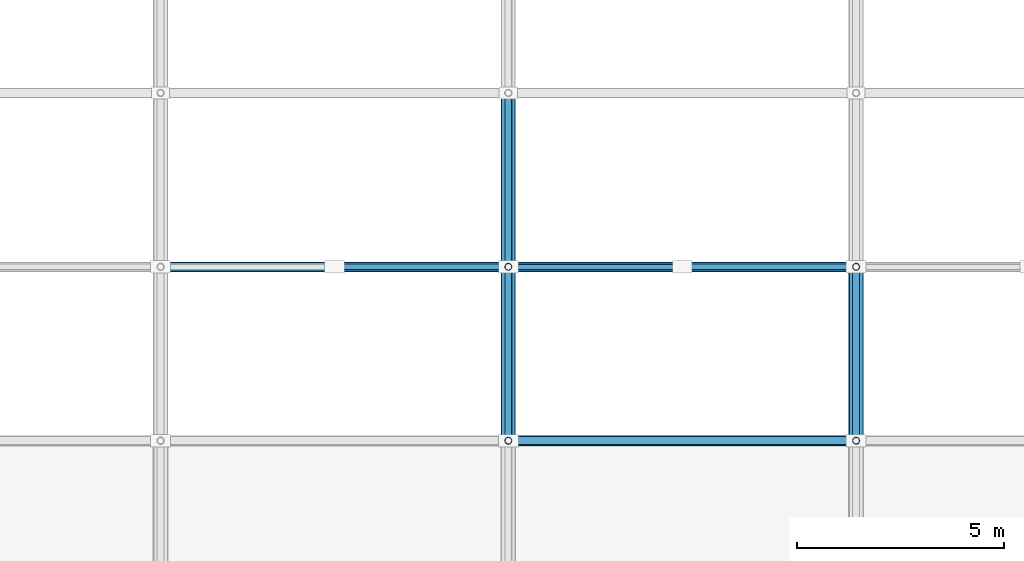
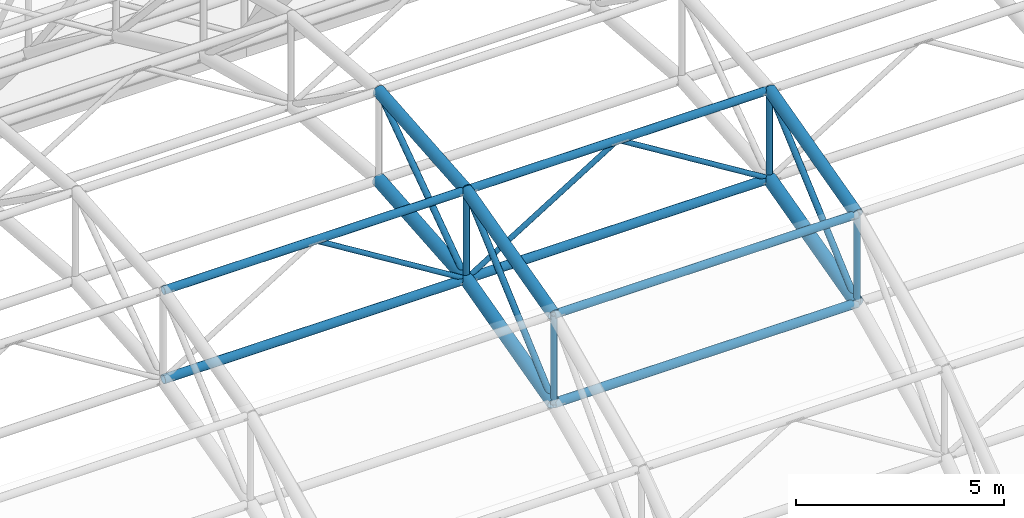
# One storey, part 27 of 103: 16 members, 6 beams.
"""IFC4 building model written with IfcOpenShell, lengths in metres."""

from ifc_helpers import new_model, si_unit, direction, frame, origin, origin_2d, place, context, subcontext, project, spatial, hollow_circle, extrude, material, material_profile, profile_set, type_object, element, save


model = new_model("IFC4")

# Units and contexts
model_context = context("Model", 3, precision=1e-05, world=origin(), true_north=direction((0.0, 1.0)))
body_context = subcontext(model_context, "Body", "Model", "MODEL_VIEW")
ifc_project = project(units=[si_unit("LENGTHUNIT", "METRE"), si_unit("AREAUNIT", "SQUARE_METRE"), si_unit("VOLUMEUNIT", "CUBIC_METRE"), si_unit("PLANEANGLEUNIT", "RADIAN"), si_unit("MASSUNIT", "GRAM", prefix="KILO")], contexts=[model_context])

# Site, building, storey
site_placement = place(None, origin())
site = spatial("IfcSite", under=ifc_project, at=site_placement, CompositionType="ELEMENT")
building_placement = place(site_placement, origin())
building = spatial("IfcBuilding", under=site, at=building_placement, Name="Varnapada Polytechnic", CompositionType="ELEMENT")
storey_placement = place(building_placement, frame((0.0, 0.0, 18.0)))
storey = spatial("IfcBuildingStorey", under=building, at=storey_placement, Name="L04", CompositionType="ELEMENT", Elevation=18.0)

# Members
ifc_material = material(Name="Steel S355", Category="steel")
ifc_material_profile_1 = material_profile(ifc_material, hollow_circle(Radius=0.122314453125, WallThickness=0.008056640625, at=origin_2d()), Name="CHS 244.5x8.0")
ifc_profile_set_1 = profile_set([ifc_material_profile_1], Name="Steel S355")
member_type_1 = type_object("IfcMemberType", Name="Vaulted space frame longitudinal bottom chord SFC-01 (CHS 244.5x8.0)", PredefinedType="CHORD", material=ifc_profile_set_1)
for number, where, z_axis, x_axis, name in (
    (1, (75.60009765625, 100.800048828125, 11.080078125), (1.0, 0.0, 0.0), (0.0, 1.0, 0.0), "Vaulted space frame longitudinal bottom chord 4.5"),
    (2, (84.0, 96.60009765625, 9.98193359375), (1.0, 0.0, 0.0), (0.0, 1.0, 0.0), "Vaulted space frame longitudinal bottom chord 5.4"),
    (3, (84.0, 100.800048828125, 11.080078125), (1.0, 0.0, 0.0), (0.0, 1.0, 0.0), "Vaulted space frame longitudinal bottom chord 5.5"),
):
    element("IfcMember", number, at=place(storey_placement, frame(where, z_axis=z_axis, x_axis=x_axis)), inside=storey, type_object=member_type_1, Name=name, PredefinedType="CHORD", context=body_context, shape_type="SweptSolid", body=[
        extrude(hollow_circle(Radius=0.122314453125, WallThickness=0.008056640625, at=origin_2d()), origin(), (0.0, 0.0, 1.0), 8.39990234375),
    ])
ifc_material_profile_2 = material_profile(ifc_material, hollow_circle(Radius=0.109619140625, WallThickness=0.008056640625, at=origin_2d()), Name="CHS 219.1x8.0")
ifc_profile_set_2 = profile_set([ifc_material_profile_2], Name="Steel S355")
member_type_2 = type_object("IfcMemberType", Name="Vaulted space frame longitudinal top chord SFC-02 (CHS 219.1x8.0)", PredefinedType="CHORD", material=ifc_profile_set_2)
for number, where, z_axis, x_axis, name in (
    (4, (75.60009765625, 100.800048828125, 13.679931640625), (1.0, 0.0, 0.0), (0.0, 1.0, 0.0), "Vaulted space frame longitudinal top chord 4.5"),
    (5, (84.0, 96.60009765625, 12.581787109375), (1.0, 0.0, 0.0), (0.0, 1.0, 0.0), "Vaulted space frame longitudinal top chord 5.4"),
    (6, (84.0, 100.800048828125, 13.679931640625), (1.0, 0.0, 0.0), (0.0, 1.0, 0.0), "Vaulted space frame longitudinal top chord 5.5"),
):
    element("IfcMember", number, at=place(storey_placement, frame(where, z_axis=z_axis, x_axis=x_axis)), inside=storey, type_object=member_type_2, Name=name, PredefinedType="CHORD", context=body_context, shape_type="SweptSolid", body=[
        extrude(hollow_circle(Radius=0.109619140625, WallThickness=0.008056640625, at=origin_2d()), origin(), (0.0, 0.0, 1.0), 8.39990234375),
    ])

# Beams
ifc_material_profile_3 = material_profile(ifc_material, hollow_circle(Radius=0.177734375, WallThickness=0.012451171875, at=origin_2d()), Name="CHS 355.6x12.5")
ifc_profile_set_3 = profile_set([ifc_material_profile_3], Name="Steel S355")
beam_type_1 = type_object("IfcBeamType", Name="Vaulted space frame primary arch rib VA-01 (CHS 355.6x12.5)", PredefinedType="BEAM", material=ifc_profile_set_3)
beam_1_placement = place(storey_placement, frame((84.0, 96.60009765625, 9.98193359375), z_axis=(0.0, 0.967476176159, 0.252962148484), x_axis=(-1.0, 0.0, 0.0)))
element("IfcBeam", 7, at=beam_1_placement, inside=storey, type_object=beam_type_1, Name="Vaulted space frame bottom arch chord 5.4", PredefinedType="BEAM", context=body_context, shape_type="SweptSolid", body=[
    extrude(hollow_circle(Radius=0.177734375, WallThickness=0.012451171875, at=origin_2d()), origin(), (0.0, 0.0, 1.0), 4.341064453125),
])
beam_2_placement = place(storey_placement, frame((84.0, 100.800048828125, 11.080078125), z_axis=(0.0, 0.99644233396, 0.084277369988), x_axis=(-1.0, 0.0, 0.0)))
element("IfcBeam", 8, at=beam_2_placement, inside=storey, type_object=beam_type_1, Name="Vaulted space frame bottom arch chord 5.5", PredefinedType="BEAM", context=body_context, shape_type="SweptSolid", body=[
    extrude(hollow_circle(Radius=0.177734375, WallThickness=0.012451171875, at=origin_2d()), origin(), (0.0, 0.0, 1.0), 4.21484375),
])
beam_3_placement = place(storey_placement, frame((92.39990234375, 96.60009765625, 9.98193359375), z_axis=(0.0, 0.967476176159, 0.252962148484), x_axis=(-1.0, 0.0, 0.0)))
element("IfcBeam", 9, at=beam_3_placement, inside=storey, type_object=beam_type_1, Name="Vaulted space frame bottom arch chord 6.4", PredefinedType="BEAM", context=body_context, shape_type="SweptSolid", body=[
    extrude(hollow_circle(Radius=0.177734375, WallThickness=0.012451171875, at=origin_2d()), origin(), (0.0, 0.0, 1.0), 4.341064453125),
])

# Members
ifc_material_profile_4 = material_profile(ifc_material, hollow_circle(Radius=0.084228515625, WallThickness=0.00634765625, at=origin_2d()), Name="CHS 168.3x6.3")
ifc_profile_set_4 = profile_set([ifc_material_profile_4], Name="Steel S355")
member_type_3 = type_object("IfcMemberType", Name="Vaulted space frame primary web diagonal SFB-01 (CHS 168.3x6.3)", PredefinedType="BRACE", material=ifc_profile_set_4)
member_1_placement = place(storey_placement, frame((84.0, 96.60009765625, 9.98193359375), z_axis=(0.0, 0.750532603682, 0.660833421378), x_axis=(-1.0, 0.0, 0.0)))
element("IfcMember", 10, at=member_1_placement, inside=storey, type_object=member_type_3, Name="Vaulted space frame web diagonal 5.4", PredefinedType="BRACE", context=body_context, shape_type="SweptSolid", body=[
    extrude(hollow_circle(Radius=0.084228515625, WallThickness=0.00634765625, at=origin_2d()), origin(), (0.0, 0.0, 1.0), 5.595947265625),
])
member_2_placement = place(storey_placement, frame((84.0, 100.800048828125, 11.080078125), z_axis=(0.0, 0.817824649693, 0.575467498956), x_axis=(-1.0, 0.0, 0.0)))
element("IfcMember", 11, at=member_2_placement, inside=storey, type_object=member_type_3, Name="Vaulted space frame web diagonal 5.5", PredefinedType="BRACE", context=body_context, shape_type="SweptSolid", body=[
    extrude(hollow_circle(Radius=0.084228515625, WallThickness=0.00634765625, at=origin_2d()), origin(), (0.0, 0.0, 1.0), 5.135498046875),
])
member_3_placement = place(storey_placement, frame((92.39990234375, 96.60009765625, 9.98193359375), z_axis=(0.0, 0.750532603682, 0.660833421378), x_axis=(-1.0, 0.0, 0.0)))
element("IfcMember", 12, at=member_3_placement, inside=storey, type_object=member_type_3, Name="Vaulted space frame web diagonal 6.4", PredefinedType="BRACE", context=body_context, shape_type="SweptSolid", body=[
    extrude(hollow_circle(Radius=0.084228515625, WallThickness=0.00634765625, at=origin_2d()), origin(), (0.0, 0.0, 1.0), 5.595947265625),
])
ifc_material_profile_5 = material_profile(ifc_material, hollow_circle(Radius=0.084228515625, WallThickness=0.00634765625, at=origin_2d()), Name="CHS 168.3x6.3")
ifc_profile_set_5 = profile_set([ifc_material_profile_5], Name="Steel S355")
member_type_4 = type_object("IfcMemberType", Name="Vaulted space frame radial web strut SFS-01 (CHS 168.3x6.3)", PredefinedType="STRUT", material=ifc_profile_set_5)
for number, where, z_axis, x_axis, name in (
    (13, (84.0, 96.60009765625, 9.98193359375), (0.0, 0.0, 1.0), (1.0, 0.0, 0.0), "Vaulted space frame strut 5.4"),
    (14, (84.0, 100.800048828125, 11.080078125), (0.0, 0.0, 1.0), (1.0, 0.0, 0.0), "Vaulted space frame strut 5.5"),
    (15, (92.39990234375, 96.60009765625, 9.98193359375), (0.0, 0.0, 1.0), (1.0, 0.0, 0.0), "Vaulted space frame strut 6.4"),
    (16, (92.39990234375, 100.800048828125, 11.080078125), (0.0, 0.0, 1.0), (1.0, 0.0, 0.0), "Vaulted space frame strut 6.5"),
):
    element("IfcMember", number, at=place(storey_placement, frame(where, z_axis=z_axis, x_axis=x_axis)), inside=storey, type_object=member_type_4, Name=name, PredefinedType="STRUT", context=body_context, shape_type="SweptSolid", body=[
        extrude(hollow_circle(Radius=0.084228515625, WallThickness=0.00634765625, at=origin_2d()), origin(), (0.0, 0.0, 1.0), 2.599853515625),
    ])
ifc_material_profile_6 = material_profile(ifc_material, hollow_circle(Radius=0.06982421875, WallThickness=0.0048828125, at=origin_2d()), Name="CHS 139.7x5.0")
ifc_profile_set_6 = profile_set([ifc_material_profile_6], Name="Steel S355")
member_type_5 = type_object("IfcMemberType", Name="Vaulted space frame secondary web diagonal SFB-02 (CHS 139.7x5.0)", PredefinedType="BRACE", material=ifc_profile_set_6)
for number, where, z_axis, x_axis, name in (
    (17, (84.0, 100.800048828125, 11.080078125), (-0.85027567993, 0.0, 0.526337598999), (0.0, -1.0, 0.0), "Vaulted space frame longitudinal brace 4.5B"),
    (18, (84.0, 100.800048828125, 11.080078125), (0.85027567993, 0.0, 0.526337598999), (0.0, 1.0, 0.0), "Vaulted space frame longitudinal brace 5.5A"),
    (19, (92.39990234375, 100.800048828125, 11.080078125), (-0.85027567993, 0.0, 0.526337598999), (0.0, -1.0, 0.0), "Vaulted space frame longitudinal brace 5.5B"),
):
    element("IfcMember", number, at=place(storey_placement, frame(where, z_axis=z_axis, x_axis=x_axis)), inside=storey, type_object=member_type_5, Name=name, PredefinedType="BRACE", context=body_context, shape_type="SweptSolid", body=[
        extrude(hollow_circle(Radius=0.06982421875, WallThickness=0.0048828125, at=origin_2d()), origin(), (0.0, 0.0, 1.0), 4.939453125),
    ])

# Beams
ifc_material_profile_7 = material_profile(ifc_material, hollow_circle(Radius=0.161865234375, WallThickness=0.010009765625, at=origin_2d()), Name="CHS 323.9x10.0")
ifc_profile_set_7 = profile_set([ifc_material_profile_7], Name="Steel S355")
beam_type_2 = type_object("IfcBeamType", Name="Vaulted space frame upper arch rib VA-02 (CHS 323.9x10.0)", PredefinedType="BEAM", material=ifc_profile_set_7)
beam_4_placement = place(storey_placement, frame((84.0, 96.60009765625, 12.581787109375), z_axis=(0.0, 0.967476176159, 0.252962148484), x_axis=(-1.0, 0.0, 0.0)))
element("IfcBeam", 20, at=beam_4_placement, inside=storey, type_object=beam_type_2, Name="Vaulted space frame top arch chord 5.4", PredefinedType="BEAM", context=body_context, shape_type="SweptSolid", body=[
    extrude(hollow_circle(Radius=0.161865234375, WallThickness=0.010009765625, at=origin_2d()), origin(), (0.0, 0.0, 1.0), 4.341064453125),
])
beam_5_placement = place(storey_placement, frame((84.0, 100.800048828125, 13.679931640625), z_axis=(0.0, 0.996437468128, 0.084334880753), x_axis=(-1.0, 0.0, 0.0)))
element("IfcBeam", 21, at=beam_5_placement, inside=storey, type_object=beam_type_2, Name="Vaulted space frame top arch chord 5.5", PredefinedType="BEAM", context=body_context, shape_type="SweptSolid", body=[
    extrude(hollow_circle(Radius=0.161865234375, WallThickness=0.010009765625, at=origin_2d()), origin(), (0.0, 0.0, 1.0), 4.215087890625),
])
beam_6_placement = place(storey_placement, frame((92.39990234375, 96.60009765625, 12.581787109375), z_axis=(0.0, 0.967476176159, 0.252962148484), x_axis=(-1.0, 0.0, 0.0)))
element("IfcBeam", 22, at=beam_6_placement, inside=storey, type_object=beam_type_2, Name="Vaulted space frame top arch chord 6.4", PredefinedType="BEAM", context=body_context, shape_type="SweptSolid", body=[
    extrude(hollow_circle(Radius=0.161865234375, WallThickness=0.010009765625, at=origin_2d()), origin(), (0.0, 0.0, 1.0), 4.341064453125),
])

save(model, "model.ifc")
